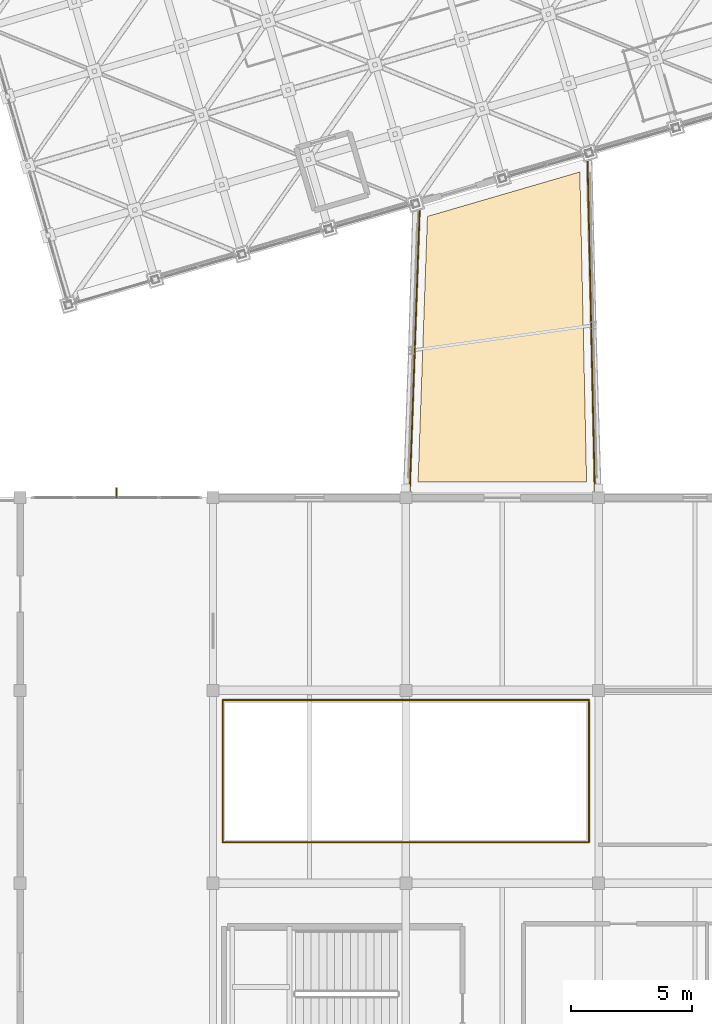
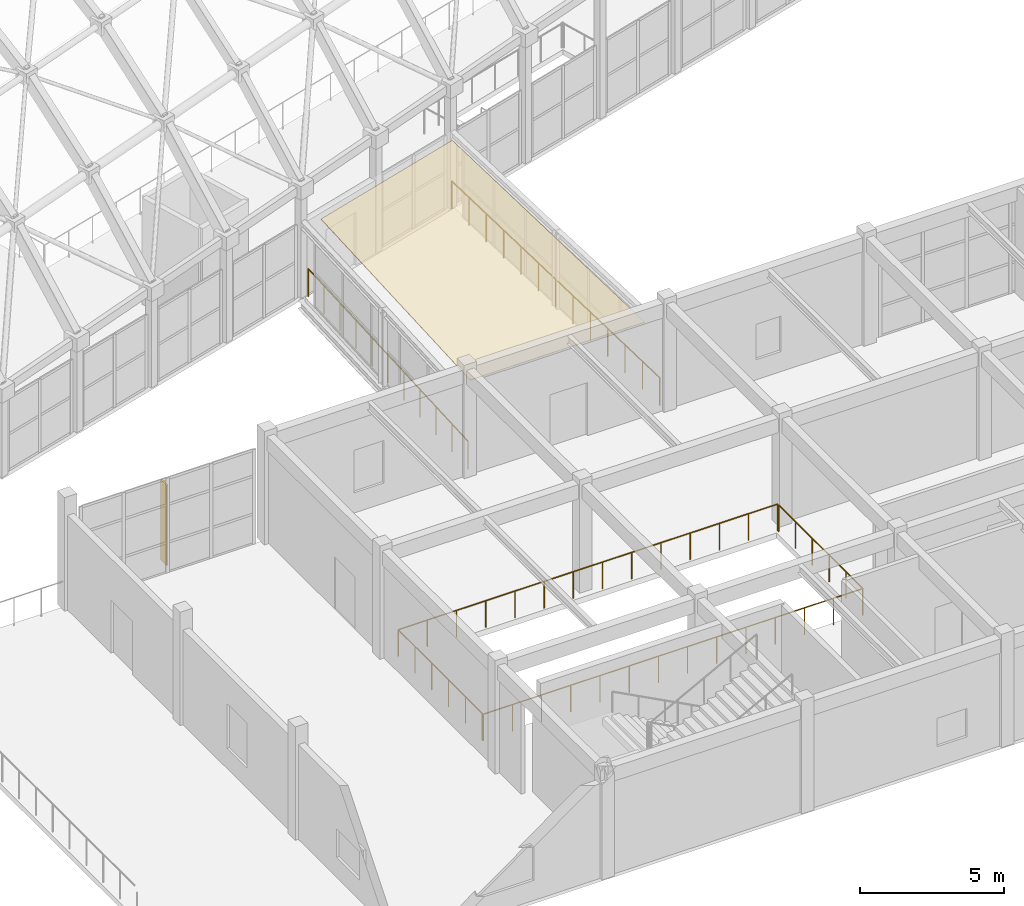
# One storey, part 238 of 248: 4 railings, 1 covering, 1 shading device, 1 element without a shape of its own.
"""IFC4 building model written with IfcOpenShell, lengths in metres."""

from ifc_helpers import new_model, si_unit, direction, frame, origin, origin_2d, place, context, subcontext, project, spatial, polyline, rectangle, circle, outline, extrude, material, layer, layer_set, type_object, element, aggregate, save


model = new_model("IFC4")

# Units and contexts
model_context = context("Model", 3, precision=1e-05, world=origin(), true_north=direction((0.0, 1.0)))
body_context = subcontext(model_context, "Body", "Model", "MODEL_VIEW")
ifc_project = project(units=[si_unit("LENGTHUNIT", "METRE"), si_unit("AREAUNIT", "SQUARE_METRE"), si_unit("VOLUMEUNIT", "CUBIC_METRE"), si_unit("PLANEANGLEUNIT", "RADIAN"), si_unit("MASSUNIT", "GRAM", prefix="KILO")], contexts=[model_context])

# Site, building, storey
site_placement = place(None, origin())
site = spatial("IfcSite", under=ifc_project, at=site_placement, CompositionType="ELEMENT")
building_placement = place(site_placement, origin())
building = spatial("IfcBuilding", under=site, at=building_placement, Name="Canggui Botanical Conservatory", CompositionType="ELEMENT")
storey_placement = place(building_placement, frame((0.0, 0.0, 5.39990234375)))
storey = spatial("IfcBuildingStorey", under=building, at=storey_placement, Name="L02", CompositionType="ELEMENT", Elevation=5.39990234375)

# Roof, covering
ifc_material_1 = material(Name="Concrete C35", Category="concrete")
ifc_layer_1 = layer(ifc_material_1, 0.239990234375, Name="Concrete C35", Category="concrete")
ifc_layer_set_1 = layer_set([ifc_layer_1], Name="Concrete C35")
roof_type = type_object("IfcRoofType", Name="ROOF-FLAT", PredefinedType="FLAT_ROOF", material=ifc_layer_set_1)
roof_placement = place(storey_placement, origin())
roof = element("IfcRoof", 1, at=roof_placement, inside=storey, type_object=roof_type, Name="West Park Covered Skybridge SB-02 Flat Roof", PredefinedType="FLAT_ROOF")
ifc_material_2 = material(Name="TPO Waterproofing Membrane")
ifc_layer_2 = layer(ifc_material_2, 0.02490234375, Name="TPO Waterproofing Membrane")
ifc_layer_set_2 = layer_set([ifc_layer_2], Name="TPO Waterproofing Membrane")
covering_type = type_object("IfcCoveringType", Name="COV-ROOF-25", PredefinedType="ROOFING", material=ifc_layer_set_2)
covering_placement = place(storey_placement, frame((0.0, 0.0, 3.35009765625)))
covering = element("IfcCovering", 2, at=covering_placement, type_object=covering_type, Name="SB-02 Roof TPO Waterproofing Membrane", PredefinedType="ROOFING", context=body_context, shape_type="SweptSolid", body=[
    extrude(outline(polyline([(34.506103515625, 34.64990234375), (34.894287109375, 45.6669921875), (41.218994140625, 47.51171875), (41.5, 34.64990234375), (34.506103515625, 34.64990234375)])), origin(), (0.0, 0.0, 1.0), 0.02490234375),
])
aggregate(roof, [covering])

# Railings
ifc_material_3 = material(Name="Laminated Safety Glass", Category="glass")
railing_type_1 = type_object("IfcRailingType", Name="RAIL-TERR-1200", PredefinedType="BALUSTRADE", material=ifc_material_3)
railing_1_placement = place(storey_placement, frame((34.159912109375, 34.19580078125, 0.0)))
element("IfcRailing", 3, at=railing_1_placement, inside=storey, type_object=railing_type_1, Name="SB-02 Glazed Walkway Guardrail 1", PredefinedType="BALUSTRADE", context=body_context, shape_type="SweptSolid", body=[
    extrude(circle(Radius=0.02392578125, at=origin_2d()), frame((0.0, 0.0, 1.17578125), z_axis=(0.035209515766, 0.99937995277, 0.0), x_axis=(-0.99937995277, 0.035209515766, 0.0)), (0.0, 0.0, 1.0), 11.8154296875),
    extrude(circle(Radius=0.02099609375, at=origin_2d()), origin(), (0.0, 0.0, 1.0), 1.15185546875),
    extrude(circle(Radius=0.02099609375, at=origin_2d()), frame((0.04150390625, 1.180908203125, 0.0)), (0.0, 0.0, 1.0), 1.15185546875),
    extrude(circle(Radius=0.02099609375, at=origin_2d()), frame((0.083251953125, 2.361572265625, 0.0)), (0.0, 0.0, 1.0), 1.15185546875),
    extrude(circle(Radius=0.02099609375, at=origin_2d()), frame((0.124755859375, 3.54248046875, 0.0)), (0.0, 0.0, 1.0), 1.15185546875),
    extrude(circle(Radius=0.02099609375, at=origin_2d()), frame((0.16650390625, 4.72314453125, 0.0)), (0.0, 0.0, 1.0), 1.15185546875),
    extrude(circle(Radius=0.02099609375, at=origin_2d()), frame((0.2080078125, 5.904052734375, 0.0)), (0.0, 0.0, 1.0), 1.15185546875),
    extrude(circle(Radius=0.02099609375, at=origin_2d()), frame((0.24951171875, 7.0849609375, 0.0)), (0.0, 0.0, 1.0), 1.15185546875),
    extrude(circle(Radius=0.02099609375, at=origin_2d()), frame((0.291259765625, 8.265625, 0.0)), (0.0, 0.0, 1.0), 1.15185546875),
    extrude(circle(Radius=0.02099609375, at=origin_2d()), frame((0.332763671875, 9.446533203125, 0.0)), (0.0, 0.0, 1.0), 1.15185546875),
    extrude(circle(Radius=0.02099609375, at=origin_2d()), frame((0.37451171875, 10.627197265625, 0.0)), (0.0, 0.0, 1.0), 1.15185546875),
    extrude(circle(Radius=0.02099609375, at=origin_2d()), frame((0.416015625, 11.80810546875, 0.0)), (0.0, 0.0, 1.0), 1.15185546875),
])
railing_2_placement = place(storey_placement, frame((41.840087890625, 34.197509765625, 0.0)))
element("IfcRailing", 4, at=railing_2_placement, inside=storey, type_object=railing_type_1, Name="SB-02 Glazed Walkway Guardrail 2", PredefinedType="BALUSTRADE", context=body_context, shape_type="SweptSolid", body=[
    extrude(circle(Radius=0.02392578125, at=origin_2d()), frame((0.0, 0.0, 1.17578125), z_axis=(-0.021867082081, 0.999760886773, 0.0), x_axis=(-0.999760886773, -0.021867082081, 0.0)), (0.0, 0.0, 1.0), 13.911376953125),
    extrude(circle(Radius=0.02099609375, at=origin_2d()), origin(), (0.0, 0.0, 1.0), 1.15185546875),
    extrude(circle(Radius=0.02099609375, at=origin_2d()), frame((-0.025390625, 1.158935546875, 0.0)), (0.0, 0.0, 1.0), 1.15185546875),
    extrude(circle(Radius=0.02099609375, at=origin_2d()), frame((-0.05078125, 2.31787109375, 0.0)), (0.0, 0.0, 1.0), 1.15185546875),
    extrude(circle(Radius=0.02099609375, at=origin_2d()), frame((-0.076171875, 3.47705078125, 0.0)), (0.0, 0.0, 1.0), 1.15185546875),
    extrude(circle(Radius=0.02099609375, at=origin_2d()), frame((-0.101318359375, 4.635986328125, 0.0)), (0.0, 0.0, 1.0), 1.15185546875),
    extrude(circle(Radius=0.02099609375, at=origin_2d()), frame((-0.126708984375, 5.794921875, 0.0)), (0.0, 0.0, 1.0), 1.15185546875),
    extrude(circle(Radius=0.02099609375, at=origin_2d()), frame((-0.152099609375, 6.9541015625, 0.0)), (0.0, 0.0, 1.0), 1.15185546875),
    extrude(circle(Radius=0.02099609375, at=origin_2d()), frame((-0.177490234375, 8.113037109375, 0.0)), (0.0, 0.0, 1.0), 1.15185546875),
    extrude(circle(Radius=0.02099609375, at=origin_2d()), frame((-0.202880859375, 9.27197265625, 0.0)), (0.0, 0.0, 1.0), 1.15185546875),
    extrude(circle(Radius=0.02099609375, at=origin_2d()), frame((-0.22802734375, 10.430908203125, 0.0)), (0.0, 0.0, 1.0), 1.15185546875),
    extrude(circle(Radius=0.02099609375, at=origin_2d()), frame((-0.25341796875, 11.58984375, 0.0)), (0.0, 0.0, 1.0), 1.15185546875),
    extrude(circle(Radius=0.02099609375, at=origin_2d()), frame((-0.27880859375, 12.7490234375, 0.0)), (0.0, 0.0, 1.0), 1.15185546875),
    extrude(circle(Radius=0.02099609375, at=origin_2d()), frame((-0.30419921875, 13.907958984375, 0.0)), (0.0, 0.0, 1.0), 1.15185546875),
])
railing_type_2 = type_object("IfcRailingType", Name="RAIL-VOID-1150", PredefinedType="BALUSTRADE", material=ifc_material_3)
railing_3_placement = place(storey_placement, frame((26.39990234375, 19.699951171875, 0.0)))
element("IfcRailing", 5, at=railing_3_placement, inside=storey, type_object=railing_type_2, Name="Visitor Atrium L02 Overlook Glass Balustrade Part A", PredefinedType="BALUSTRADE", context=body_context, shape_type="SweptSolid", body=[
    extrude(circle(Radius=0.02392578125, at=origin_2d()), frame((0.0, 0.0, 1.1259765625), z_axis=(1.0, 0.0, 0.0), x_axis=(0.0, 1.0, 0.0)), (0.0, 0.0, 1.0), 15.2001953125),
    extrude(circle(Radius=0.02392578125, at=origin_2d()), frame((15.2001953125, 0.0, 1.1259765625), z_axis=(0.0, 1.0, 0.0), x_axis=(-1.0, 0.0, 0.0)), (0.0, 0.0, 1.0), 5.8349609375),
    extrude(circle(Radius=0.02099609375, at=origin_2d()), origin(), (0.0, 0.0, 1.0), 1.101806640625),
    extrude(circle(Radius=0.02099609375, at=origin_2d()), frame((1.169189453125, 0.0, 0.0)), (0.0, 0.0, 1.0), 1.101806640625),
    extrude(circle(Radius=0.02099609375, at=origin_2d()), frame((2.33837890625, 0.0, 0.0)), (0.0, 0.0, 1.0), 1.101806640625),
    extrude(circle(Radius=0.02099609375, at=origin_2d()), frame((3.5078125, 0.0, 0.0)), (0.0, 0.0, 1.0), 1.101806640625),
    extrude(circle(Radius=0.02099609375, at=origin_2d()), frame((4.677001953125, 0.0, 0.0)), (0.0, 0.0, 1.0), 1.101806640625),
    extrude(circle(Radius=0.02099609375, at=origin_2d()), frame((5.84619140625, 0.0, 0.0)), (0.0, 0.0, 1.0), 1.101806640625),
    extrude(circle(Radius=0.02099609375, at=origin_2d()), frame((7.015380859375, 0.0, 0.0)), (0.0, 0.0, 1.0), 1.101806640625),
    extrude(circle(Radius=0.02099609375, at=origin_2d()), frame((8.184814453125, 0.0, 0.0)), (0.0, 0.0, 1.0), 1.101806640625),
    extrude(circle(Radius=0.02099609375, at=origin_2d()), frame((9.35400390625, 0.0, 0.0)), (0.0, 0.0, 1.0), 1.101806640625),
    extrude(circle(Radius=0.02099609375, at=origin_2d()), frame((10.523193359375, 0.0, 0.0)), (0.0, 0.0, 1.0), 1.101806640625),
    extrude(circle(Radius=0.02099609375, at=origin_2d()), frame((11.6923828125, 0.0, 0.0)), (0.0, 0.0, 1.0), 1.101806640625),
    extrude(circle(Radius=0.02099609375, at=origin_2d()), frame((12.86181640625, 0.0, 0.0)), (0.0, 0.0, 1.0), 1.101806640625),
    extrude(circle(Radius=0.02099609375, at=origin_2d()), frame((14.031005859375, 0.0, 0.0)), (0.0, 0.0, 1.0), 1.101806640625),
    extrude(circle(Radius=0.02099609375, at=origin_2d()), frame((15.2001953125, 0.0, 0.0)), (0.0, 0.0, 1.0), 1.101806640625),
    extrude(circle(Radius=0.02099609375, at=origin_2d()), frame((15.2001953125, 1.1669921875, 0.0)), (0.0, 0.0, 1.0), 1.101806640625),
    extrude(circle(Radius=0.02099609375, at=origin_2d()), frame((15.2001953125, 2.333984375, 0.0)), (0.0, 0.0, 1.0), 1.101806640625),
    extrude(circle(Radius=0.02099609375, at=origin_2d()), frame((15.2001953125, 3.5009765625, 0.0)), (0.0, 0.0, 1.0), 1.101806640625),
    extrude(circle(Radius=0.02099609375, at=origin_2d()), frame((15.2001953125, 4.66796875, 0.0)), (0.0, 0.0, 1.0), 1.101806640625),
    extrude(circle(Radius=0.02099609375, at=origin_2d()), frame((15.2001953125, 5.8349609375, 0.0)), (0.0, 0.0, 1.0), 1.101806640625),
])
railing_4_placement = place(storey_placement, frame((41.60009765625, 25.60009765625, 0.0)))
element("IfcRailing", 6, at=railing_4_placement, inside=storey, type_object=railing_type_2, Name="Visitor Atrium L02 Overlook Glass Balustrade Part B", PredefinedType="BALUSTRADE", context=body_context, shape_type="SweptSolid", body=[
    extrude(circle(Radius=0.02392578125, at=origin_2d()), frame((0.0, 0.0, 1.1259765625), z_axis=(-1.0, 0.0, 0.0), x_axis=(0.0, -1.0, 0.0)), (0.0, 0.0, 1.0), 15.2001953125),
    extrude(circle(Radius=0.02392578125, at=origin_2d()), frame((-15.2001953125, 0.0, 1.1259765625), z_axis=(0.0, -1.0, 0.0), x_axis=(1.0, 0.0, 0.0)), (0.0, 0.0, 1.0), 5.835205078125),
    extrude(circle(Radius=0.02099609375, at=origin_2d()), origin(), (0.0, 0.0, 1.0), 1.101806640625),
    extrude(circle(Radius=0.02099609375, at=origin_2d()), frame((-1.169189453125, 0.0, 0.0)), (0.0, 0.0, 1.0), 1.101806640625),
    extrude(circle(Radius=0.02099609375, at=origin_2d()), frame((-2.33837890625, 0.0, 0.0)), (0.0, 0.0, 1.0), 1.101806640625),
    extrude(circle(Radius=0.02099609375, at=origin_2d()), frame((-3.5078125, 0.0, 0.0)), (0.0, 0.0, 1.0), 1.101806640625),
    extrude(circle(Radius=0.02099609375, at=origin_2d()), frame((-4.677001953125, 0.0, 0.0)), (0.0, 0.0, 1.0), 1.101806640625),
    extrude(circle(Radius=0.02099609375, at=origin_2d()), frame((-5.84619140625, 0.0, 0.0)), (0.0, 0.0, 1.0), 1.101806640625),
    extrude(circle(Radius=0.02099609375, at=origin_2d()), frame((-7.015380859375, 0.0, 0.0)), (0.0, 0.0, 1.0), 1.101806640625),
    extrude(circle(Radius=0.02099609375, at=origin_2d()), frame((-8.184814453125, 0.0, 0.0)), (0.0, 0.0, 1.0), 1.101806640625),
    extrude(circle(Radius=0.02099609375, at=origin_2d()), frame((-9.35400390625, 0.0, 0.0)), (0.0, 0.0, 1.0), 1.101806640625),
    extrude(circle(Radius=0.02099609375, at=origin_2d()), frame((-10.523193359375, 0.0, 0.0)), (0.0, 0.0, 1.0), 1.101806640625),
    extrude(circle(Radius=0.02099609375, at=origin_2d()), frame((-11.6923828125, 0.0, 0.0)), (0.0, 0.0, 1.0), 1.101806640625),
    extrude(circle(Radius=0.02099609375, at=origin_2d()), frame((-12.86181640625, 0.0, 0.0)), (0.0, 0.0, 1.0), 1.101806640625),
    extrude(circle(Radius=0.02099609375, at=origin_2d()), frame((-14.031005859375, 0.0, 0.0)), (0.0, 0.0, 1.0), 1.101806640625),
    extrude(circle(Radius=0.02099609375, at=origin_2d()), frame((-15.2001953125, 0.0, 0.0)), (0.0, 0.0, 1.0), 1.101806640625),
    extrude(circle(Radius=0.02099609375, at=origin_2d()), frame((-15.2001953125, -1.1669921875, 0.0)), (0.0, 0.0, 1.0), 1.101806640625),
    extrude(circle(Radius=0.02099609375, at=origin_2d()), frame((-15.2001953125, -2.333984375, 0.0)), (0.0, 0.0, 1.0), 1.101806640625),
    extrude(circle(Radius=0.02099609375, at=origin_2d()), frame((-15.2001953125, -3.501220703125, 0.0)), (0.0, 0.0, 1.0), 1.101806640625),
    extrude(circle(Radius=0.02099609375, at=origin_2d()), frame((-15.2001953125, -4.668212890625, 0.0)), (0.0, 0.0, 1.0), 1.101806640625),
    extrude(circle(Radius=0.02099609375, at=origin_2d()), frame((-15.2001953125, -5.835205078125, 0.0)), (0.0, 0.0, 1.0), 1.101806640625),
])

# Shading device
ifc_material_4 = material(Name="Anodised Aluminium", Category="aluminium")
shading_device_type = type_object("IfcShadingDeviceType", Name="SHD-FIN01", PredefinedType="AWNING", material=ifc_material_4)
shading_device_placement = place(storey_placement, frame((22.0, 34.195068359375, 0.30517578125), z_axis=(0.0, 0.0, 1.0), x_axis=(1.0, 0.0, 0.0)))
element("IfcShadingDevice", 7, at=shading_device_placement, inside=storey, type_object=shading_device_type, Name="Solar Shading Fin CW-VIS-L02-10", PredefinedType="AWNING", context=body_context, shape_type="SweptSolid", body=[
    extrude(rectangle(XDim=0.06005859375, YDim=0.419921875, at=origin_2d()), origin(), (0.0, 0.0, 1.0), 3.39990234375),
])

save(model, "model.ifc")
